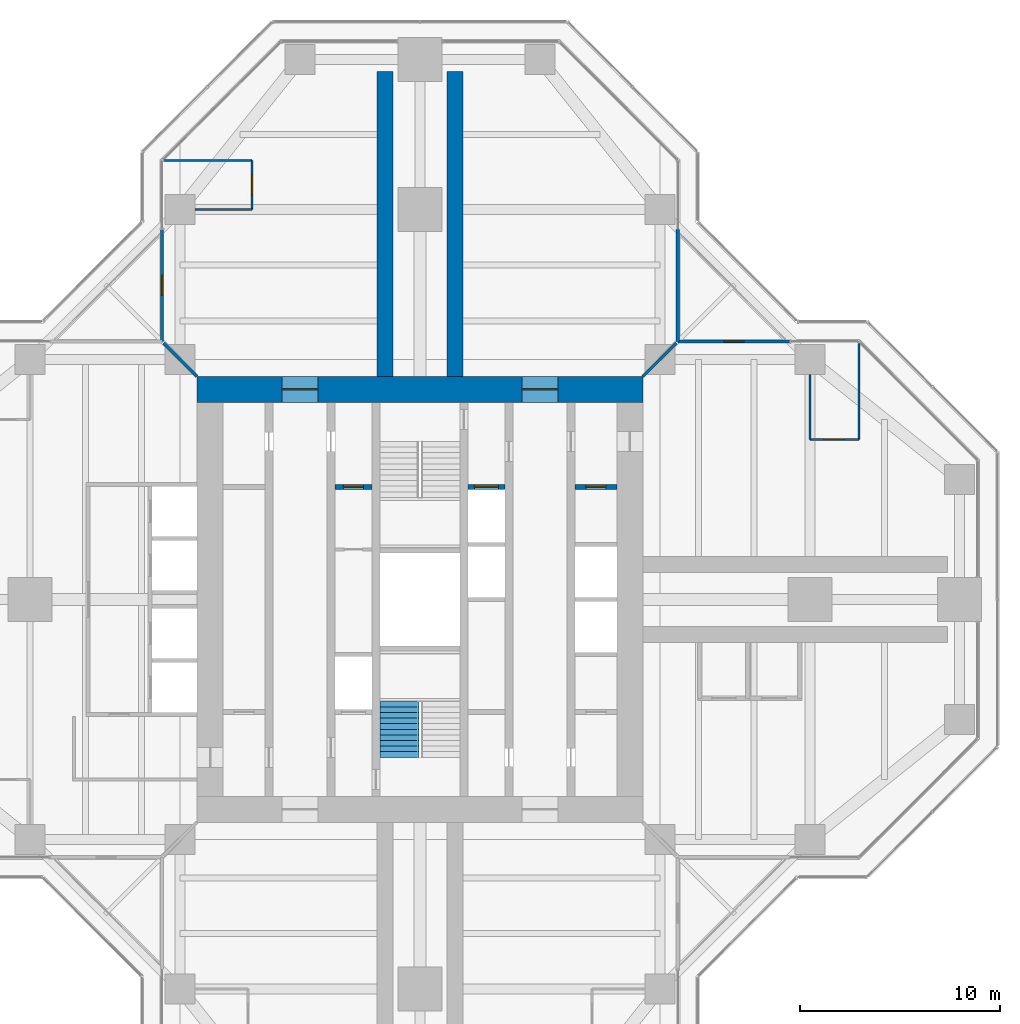
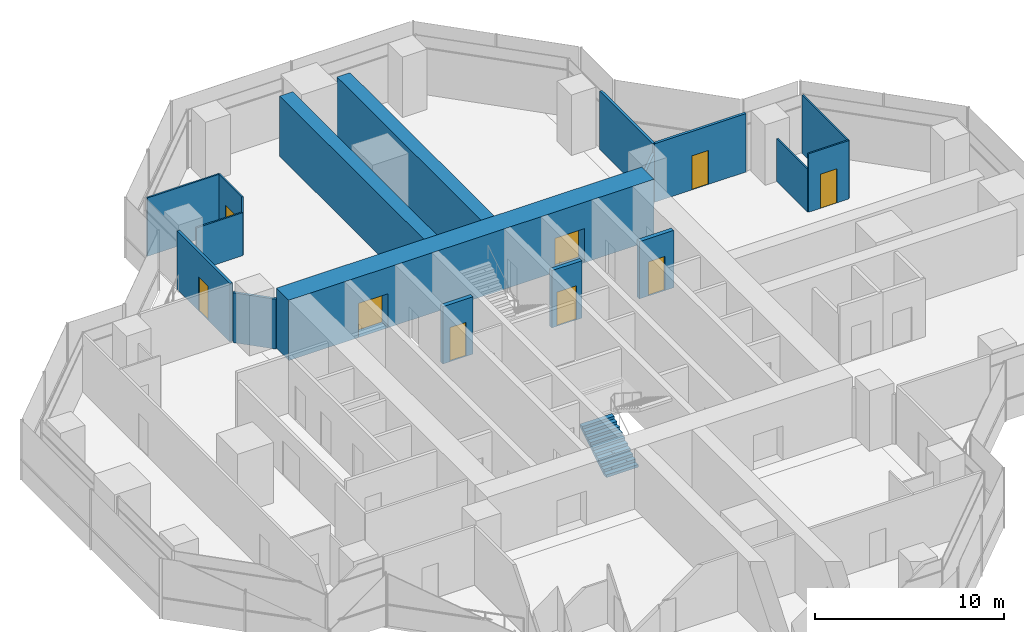
# One storey, part 15 of 17: 17 walls, 9 doors, 1 stair flight, 9 openings, 1 element without a shape of its own.
"""IFC4 building model written with IfcOpenShell, lengths in metres."""

from ifc_helpers import new_model, si_unit, direction, frame, frame_2d, origin, place, context, subcontext, project, spatial, polyline, rectangle, outline, extrude, material, layer, layer_set, type_object, element, fill, aggregate, save


model = new_model("IFC4")

# Units and contexts
model_context = context("Model", 3, precision=1e-05, world=origin(), true_north=direction((0.0, 1.0)))
body_context = subcontext(model_context, "Body", "Model", "MODEL_VIEW")
ifc_project = project(units=[si_unit("LENGTHUNIT", "METRE"), si_unit("AREAUNIT", "SQUARE_METRE"), si_unit("VOLUMEUNIT", "CUBIC_METRE"), si_unit("PLANEANGLEUNIT", "RADIAN"), si_unit("MASSUNIT", "GRAM", prefix="KILO")], contexts=[model_context])

# Site, building, storey
site_placement = place(None, origin())
site = spatial("IfcSite", under=ifc_project, at=site_placement, CompositionType="ELEMENT")
building_placement = place(site_placement, origin())
building = spatial("IfcBuilding", under=site, at=building_placement, Name="Mizan Broadcast Tower", CompositionType="ELEMENT")
storey_placement = place(building_placement, frame((0.0, 0.0, 240.0)))
storey = spatial("IfcBuildingStorey", under=building, at=storey_placement, Name="L56", CompositionType="ELEMENT", Elevation=240.0)

# Wall, openings, doors
ifc_material_1 = material(Name="Concrete C70/85", Category="concrete")
ifc_layer_1 = layer(ifc_material_1, 1.300048828125)
ifc_layer_set_1 = layer_set([ifc_layer_1], Name="Concrete C70/85")
wall_type_1 = type_object("IfcWallType", Name="CORE WALL 1300", PredefinedType="SHEAR", material=ifc_layer_set_1)
wall_1_placement = place(storey_placement, frame((-11.14990234375, 10.5, 0.0), z_axis=(0.0, 0.0, 1.0), x_axis=(1.0, 0.0, 0.0)))
wall_1 = element("IfcWall", 1, at=wall_1_placement, inside=storey, type_object=wall_type_1, Name="Core wall N L56", PredefinedType="SHEAR", context=body_context, shape_type="SweptSolid", body=[
    extrude(rectangle(XDim=22.2998046875, YDim=1.300048828125, at=frame_2d((11.14990234375, 0.0))), origin(), (0.0, 0.0, 1.0), 3.89990234375),
])
opening_1_placement = place(wall_1_placement, frame((4.25, 0.0, 0.0)))
opening_1 = element("IfcOpeningElement", 2, at=opening_1_placement, cuts=wall_1, Name="Opening D18F", PredefinedType="OPENING", context=body_context, shape_type="SweptSolid", body=[
    extrude(rectangle(XDim=1.800048828125, YDim=2.199951171875, at=frame_2d((0.89990234375, 1.10009765625))), frame((0.0, 0.659912109375, 0.0), z_axis=(0.0, -1.0, 0.0), x_axis=(1.0, 0.0, 0.0)), (0.0, 0.0, 1.0), 1.320068359375),
])
opening_2_placement = place(wall_1_placement, frame((16.25, 0.0, 0.0)))
opening_2 = element("IfcOpeningElement", 3, at=opening_2_placement, cuts=wall_1, Name="Opening D18F", PredefinedType="OPENING", context=body_context, shape_type="SweptSolid", body=[
    extrude(rectangle(XDim=1.800048828125, YDim=2.199951171875, at=frame_2d((0.89990234375, 1.10009765625))), frame((0.0, 0.659912109375, 0.0), z_axis=(0.0, -1.0, 0.0), x_axis=(1.0, 0.0, 0.0)), (0.0, 0.0, 1.0), 1.320068359375),
])
ifc_material_2 = material(Name="Steel door leaf in steel frame", Category="steel")
door_type_1 = type_object("IfcDoorType", Name="LOBBY DOUBLE DOOR 1800 FD90", OperationType="DOUBLE_DOOR_DOUBLE_SWING", PredefinedType="DOOR", material=ifc_material_2)
door_1_placement = place(opening_1_placement, origin())
door_1 = element("IfcDoor", 4, at=door_1_placement, inside=storey, type_object=door_type_1, Name="West lift lobby north door", OperationType="DOUBLE_DOOR_DOUBLE_SWING", OverallHeight=2.199951171875, OverallWidth=1.800048828125, PredefinedType="DOOR", context=body_context, shape_type="SweptSolid", body=[
    extrude(rectangle(XDim=1.800048828125, YDim=2.199951171875, at=frame_2d((0.89990234375, 1.10009765625))), frame((0.0, 0.02490234375, 0.0), z_axis=(0.0, -1.0, 0.0), x_axis=(1.0, 0.0, 0.0)), (0.0, 0.0, 1.0), 0.050048828125),
])
fill(opening_1, door_1)
door_2_placement = place(opening_2_placement, origin())
door_2 = element("IfcDoor", 5, at=door_2_placement, inside=storey, type_object=door_type_1, Name="East lift lobby north door", OperationType="DOUBLE_DOOR_DOUBLE_SWING", OverallHeight=2.199951171875, OverallWidth=1.800048828125, PredefinedType="DOOR", context=body_context, shape_type="SweptSolid", body=[
    extrude(rectangle(XDim=1.800048828125, YDim=2.199951171875, at=frame_2d((0.89990234375, 1.10009765625))), frame((0.0, 0.02490234375, 0.0), z_axis=(0.0, -1.0, 0.0), x_axis=(1.0, 0.0, 0.0)), (0.0, 0.0, 1.0), 0.050048828125),
])
fill(opening_2, door_2)

# Wall, opening, door
ifc_material_3 = material(Name="Aluminium framed glazed screen", Category="aluminium")
ifc_layer_2 = layer(ifc_material_3, 0.159912109375)
ifc_layer_set_2 = layer_set([ifc_layer_2], Name="Aluminium framed glazed screen")
wall_type_2 = type_object("IfcWallType", Name="GLAZED SCREEN WALL 160", PredefinedType="SOLIDWALL", material=ifc_layer_set_2)
wall_2_placement = place(storey_placement, frame((18.5, 12.89990234375, 0.0), z_axis=(0.0, 0.0, 1.0), x_axis=(-1.0, 0.0, 0.0)))
wall_2 = element("IfcWall", 6, at=wall_2_placement, inside=storey, type_object=wall_type_2, Name="Winter garden screen L56 E", PredefinedType="SOLIDWALL", context=body_context, shape_type="SweptSolid", body=[
    extrude(rectangle(XDim=5.60009765625, YDim=0.159912109375, at=frame_2d((2.800048828125, 0.0))), origin(), (0.0, 0.0, 1.0), 3.77001953125),
])
opening_3_placement = place(wall_2_placement, frame((2.300048828125, 0.0, 0.0)))
opening_3 = element("IfcOpeningElement", 7, at=opening_3_placement, cuts=wall_2, Name="Opening WGD", PredefinedType="OPENING", context=body_context, shape_type="SweptSolid", body=[
    extrude(rectangle(XDim=1.0, YDim=2.199951171875, at=frame_2d((0.5, 1.10009765625))), frame((0.0, 0.08984375, 0.0), z_axis=(0.0, -1.0, 0.0), x_axis=(1.0, 0.0, 0.0)), (0.0, 0.0, 1.0), 0.179931640625),
])
ifc_material_4 = material(Name="Aluminium framed glazed door", Category="aluminium")
door_type_2 = type_object("IfcDoorType", Name="WINTER GARDEN DOOR 1000 GLAZED", OperationType="SINGLE_SWING_LEFT", PredefinedType="DOOR", material=ifc_material_4)
door_3_placement = place(opening_3_placement, origin())
door_3 = element("IfcDoor", 8, at=door_3_placement, inside=storey, type_object=door_type_2, Name="Winter garden door L56 E", OperationType="SINGLE_SWING_RIGHT", OverallHeight=2.199951171875, OverallWidth=1.0, PredefinedType="DOOR", context=body_context, shape_type="SweptSolid", body=[
    extrude(rectangle(XDim=1.0, YDim=2.199951171875, at=frame_2d((0.5, 1.10009765625))), frame((0.0, 0.02490234375, 0.0), z_axis=(0.0, -1.0, 0.0), x_axis=(1.0, 0.0, 0.0)), (0.0, 0.0, 1.0), 0.050048828125),
])
fill(opening_3, door_3)

# Wall
wall_3_placement = place(storey_placement, frame((12.89990234375, 12.89990234375, 0.0), z_axis=(0.0, 0.0, 1.0), x_axis=(0.0, 1.0, 0.0)))
element("IfcWall", 9, at=wall_3_placement, inside=storey, type_object=wall_type_2, Name="Winter garden screen L56 N", PredefinedType="SOLIDWALL", context=body_context, shape_type="SweptSolid", body=[
    extrude(rectangle(XDim=5.60009765625, YDim=0.159912109375, at=frame_2d((2.800048828125, 0.0))), origin(), (0.0, 0.0, 1.0), 3.77001953125),
])

# Wall, opening, door
wall_4_placement = place(storey_placement, frame((-12.89990234375, 18.5, 0.0), z_axis=(0.0, 0.0, 1.0), x_axis=(0.0, -1.0, 0.0)))
wall_4 = element("IfcWall", 10, at=wall_4_placement, inside=storey, type_object=wall_type_2, Name="Winter garden screen L56 N", PredefinedType="SOLIDWALL", context=body_context, shape_type="SweptSolid", body=[
    extrude(rectangle(XDim=5.60009765625, YDim=0.159912109375, at=frame_2d((2.800048828125, 0.0))), origin(), (0.0, 0.0, 1.0), 3.77001953125),
])
opening_4_placement = place(wall_4_placement, frame((2.300048828125, 0.0, 0.0)))
opening_4 = element("IfcOpeningElement", 11, at=opening_4_placement, cuts=wall_4, Name="Opening WGD", PredefinedType="OPENING", context=body_context, shape_type="SweptSolid", body=[
    extrude(rectangle(XDim=1.0, YDim=2.199951171875, at=frame_2d((0.5, 1.10009765625))), frame((0.0, 0.08984375, 0.0), z_axis=(0.0, -1.0, 0.0), x_axis=(1.0, 0.0, 0.0)), (0.0, 0.0, 1.0), 0.179931640625),
])
door_4_placement = place(opening_4_placement, origin())
door_4 = element("IfcDoor", 12, at=door_4_placement, inside=storey, type_object=door_type_2, Name="Winter garden door L56 N", OperationType="SINGLE_SWING_RIGHT", OverallHeight=2.199951171875, OverallWidth=1.0, PredefinedType="DOOR", context=body_context, shape_type="SweptSolid", body=[
    extrude(rectangle(XDim=1.0, YDim=2.199951171875, at=frame_2d((0.5, 1.10009765625))), frame((0.0, 0.02490234375, 0.0), z_axis=(0.0, -1.0, 0.0), x_axis=(1.0, 0.0, 0.0)), (0.0, 0.0, 1.0), 0.050048828125),
])
fill(opening_4, door_4)

ifc_material_5 = material(Name="Concrete blockwork", Category="masonry")
ifc_layer_3 = layer(ifc_material_5, 0.25)
ifc_layer_set_3 = layer_set([ifc_layer_3], Name="Concrete blockwork")
wall_type_3 = type_object("IfcWallType", Name="LOBBY ENCLOSURE WALL 250", PredefinedType="SOLIDWALL", material=ifc_layer_set_3)
wall_5_placement = place(storey_placement, frame((-4.25, 5.625, 0.0), z_axis=(0.0, 0.0, 1.0), x_axis=(1.0, 0.0, 0.0)))
wall_5 = element("IfcWall", 13, at=wall_5_placement, inside=storey, type_object=wall_type_3, Name="Lobby enclosure wall CORE/BW2N", PredefinedType="SOLIDWALL", context=body_context, shape_type="SweptSolid", body=[
    extrude(rectangle(XDim=1.85009765625, YDim=0.25, at=frame_2d((0.925048828125, 0.0))), origin(), (0.0, 0.0, 1.0), 3.699951171875),
])
opening_5_placement = place(wall_5_placement, frame((0.425048828125, 0.0, 0.0)))
opening_5 = element("IfcOpeningElement", 14, at=opening_5_placement, cuts=wall_5, Name="Opening D10F", PredefinedType="OPENING", context=body_context, shape_type="SweptSolid", body=[
    extrude(rectangle(XDim=1.0, YDim=2.199951171875, at=frame_2d((0.5, 1.10009765625))), frame((0.0, 0.135009765625, 0.0), z_axis=(0.0, -1.0, 0.0), x_axis=(1.0, 0.0, 0.0)), (0.0, 0.0, 1.0), 0.27001953125),
])
ifc_material_6 = material(Name="Steel door leaf in steel frame", Category="steel")
door_type_3 = type_object("IfcDoorType", Name="FIRE DOOR 1000 FD90", OperationType="SINGLE_SWING_LEFT", PredefinedType="DOOR", material=ifc_material_6)
door_5_placement = place(opening_5_placement, origin())
door_5 = element("IfcDoor", 15, at=door_5_placement, inside=storey, type_object=door_type_3, Name="Accessible changing room door", OperationType="SINGLE_SWING_RIGHT", OverallHeight=2.199951171875, OverallWidth=1.0, PredefinedType="DOOR", context=body_context, shape_type="SweptSolid", body=[
    extrude(rectangle(XDim=1.0, YDim=2.199951171875, at=frame_2d((0.5, 1.10009765625))), frame((0.0, 0.02490234375, 0.0), z_axis=(0.0, -1.0, 0.0), x_axis=(1.0, 0.0, 0.0)), (0.0, 0.0, 1.0), 0.050048828125),
])
fill(opening_5, door_5)

wall_6_placement = place(storey_placement, frame((2.39990234375, 5.625, 0.0), z_axis=(0.0, 0.0, 1.0), x_axis=(1.0, 0.0, 0.0)))
wall_6 = element("IfcWall", 16, at=wall_6_placement, inside=storey, type_object=wall_type_3, Name="Lobby enclosure wall CORE/BE2N", PredefinedType="SOLIDWALL", context=body_context, shape_type="SweptSolid", body=[
    extrude(rectangle(XDim=1.85009765625, YDim=0.25, at=frame_2d((0.925048828125, 0.0))), origin(), (0.0, 0.0, 1.0), 3.699951171875),
])
opening_6_placement = place(wall_6_placement, frame((0.324951171875, 0.0, 0.0)))
opening_6 = element("IfcOpeningElement", 17, at=opening_6_placement, cuts=wall_6, Name="Opening LDF", PredefinedType="OPENING", context=body_context, shape_type="SweptSolid", body=[
    extrude(rectangle(XDim=1.199951171875, YDim=2.199951171875, at=frame_2d((0.60009765625, 1.10009765625))), frame((0.0, 0.135009765625, 0.0), z_axis=(0.0, -1.0, 0.0), x_axis=(1.0, 0.0, 0.0)), (0.0, 0.0, 1.0), 0.27001953125),
])
ifc_material_7 = material(Name="Steel door leaf in steel frame", Category="steel")
door_type_4 = type_object("IfcDoorType", Name="FIREFIGHTING LIFT LANDING DOOR 1200", OperationType="SLIDING_TO_LEFT", PredefinedType="DOOR", material=ifc_material_7)
door_6_placement = place(opening_6_placement, origin())
door_6 = element("IfcDoor", 18, at=door_6_placement, inside=storey, type_object=door_type_4, Name="Landing door FF2", OperationType="SLIDING_TO_LEFT", OverallHeight=2.199951171875, OverallWidth=1.199951171875, PredefinedType="DOOR", context=body_context, shape_type="SweptSolid", body=[
    extrude(rectangle(XDim=1.199951171875, YDim=2.199951171875, at=frame_2d((0.60009765625, 1.10009765625))), frame((0.0, 0.02490234375, 0.0), z_axis=(0.0, -1.0, 0.0), x_axis=(1.0, 0.0, 0.0)), (0.0, 0.0, 1.0), 0.050048828125),
])
fill(opening_6, door_6)

wall_7_placement = place(storey_placement, frame((7.75, 5.625, 0.0), z_axis=(0.0, 0.0, 1.0), x_axis=(1.0, 0.0, 0.0)))
wall_7 = element("IfcWall", 19, at=wall_7_placement, inside=storey, type_object=wall_type_3, Name="Lobby enclosure wall CORE/BE1N", PredefinedType="SOLIDWALL", context=body_context, shape_type="SweptSolid", body=[
    extrude(rectangle(XDim=2.10009765625, YDim=0.25, at=frame_2d((1.050048828125, 0.0))), origin(), (0.0, 0.0, 1.0), 3.699951171875),
])
opening_7_placement = place(wall_7_placement, frame((0.550048828125, 0.0, 0.0)))
opening_7 = element("IfcOpeningElement", 20, at=opening_7_placement, cuts=wall_7, Name="Opening D10F", PredefinedType="OPENING", context=body_context, shape_type="SweptSolid", body=[
    extrude(rectangle(XDim=1.0, YDim=2.199951171875, at=frame_2d((0.5, 1.10009765625))), frame((0.0, 0.135009765625, 0.0), z_axis=(0.0, -1.0, 0.0), x_axis=(1.0, 0.0, 0.0)), (0.0, 0.0, 1.0), 0.27001953125),
])
door_7_placement = place(opening_7_placement, origin())
door_7 = element("IfcDoor", 21, at=door_7_placement, inside=storey, type_object=door_type_3, Name="Comms room door", OperationType="SINGLE_SWING_LEFT", OverallHeight=2.199951171875, OverallWidth=1.0, PredefinedType="DOOR", context=body_context, shape_type="SweptSolid", body=[
    extrude(rectangle(XDim=1.0, YDim=2.199951171875, at=frame_2d((0.5, 1.10009765625))), frame((0.0, 0.02490234375, 0.0), z_axis=(0.0, -1.0, 0.0), x_axis=(1.0, 0.0, 0.0)), (0.0, 0.0, 1.0), 0.050048828125),
])
fill(opening_7, door_7)

# Walls
ifc_material_8 = material(Name="Gypsum board on steel studs", Category="steel")
ifc_layer_4 = layer(ifc_material_8, 0.14990234375)
ifc_layer_set_4 = layer_set([ifc_layer_4], Name="Gypsum board on steel studs")
wall_type_4 = type_object("IfcWallType", Name="PARTITION 150", PredefinedType="PARTITIONING", material=ifc_layer_set_4)
for number, where, z_axis, x_axis, name in (
    (22, (11.14990234375, 11.14990234375, 0.0), (0.0, 0.0, 1.0), (0.707106781187, 0.707106781187, 0.0), "Partition PT/DGEN"),
    (23, (-11.14990234375, 11.14990234375, 0.0), (0.0, 0.0, 1.0), (-0.707106781187, 0.707106781187, 0.0), "Partition PT/DGWN"),
):
    element("IfcWall", number, at=place(storey_placement, frame(where, z_axis=z_axis, x_axis=x_axis)), inside=storey, type_object=wall_type_4, Name=name, PredefinedType="PARTITIONING", context=body_context, shape_type="SweptSolid", body=[
        extrude(rectangle(XDim=2.362060546875, YDim=0.14990234375, at=frame_2d((1.18115234375, 0.0))), origin(), (0.0, 0.0, 1.0), 3.219970703125),
    ])

# Wall, opening, door
ifc_material_9 = material(Name="Glazed aluminium partition on aluminium track", Category="aluminium")
ifc_layer_5 = layer(ifc_material_9, 0.10009765625)
ifc_layer_set_5 = layer_set([ifc_layer_5], Name="Glazed aluminium partition on aluminium track")
wall_type_5 = type_object("IfcWallType", Name="PARTITION GLAZED OFFICE FRONT 100", PredefinedType="PARTITIONING", material=ifc_layer_set_5)
wall_8_placement = place(storey_placement, frame((19.5, 8.0, 0.0), z_axis=(0.0, 0.0, 1.0), x_axis=(1.0, 0.0, 0.0)))
wall_8 = element("IfcWall", 24, at=wall_8_placement, inside=storey, type_object=wall_type_5, Name="Glazed office front PT/ECP0", PredefinedType="PARTITIONING", context=body_context, shape_type="SweptSolid", body=[
    extrude(rectangle(XDim=2.458984375, YDim=0.10009765625, at=frame_2d((1.2294921875, 0.0))), origin(), (0.0, 0.0, 1.0), 3.77001953125),
])
opening_8_placement = place(wall_8_placement, frame((0.7294921875, 0.0, 0.0)))
opening_8 = element("IfcOpeningElement", 25, at=opening_8_placement, cuts=wall_8, Name="Opening D10O", PredefinedType="OPENING", context=body_context, shape_type="SweptSolid", body=[
    extrude(rectangle(XDim=1.0, YDim=2.199951171875, at=frame_2d((0.5, 1.10009765625))), frame((0.0, 0.06005859375, 0.0), z_axis=(0.0, -1.0, 0.0), x_axis=(1.0, 0.0, 0.0)), (0.0, 0.0, 1.0), 0.1201171875),
])
ifc_material_10 = material(Name="Timber door leaf in aluminium frame", Category="wood")
door_type_5 = type_object("IfcDoorType", Name="OFFICE DOOR 1000 GLAZED", OperationType="SINGLE_SWING_LEFT", PredefinedType="DOOR", material=ifc_material_10)
door_8_placement = place(opening_8_placement, origin())
door_8 = element("IfcDoor", 26, at=door_8_placement, inside=storey, type_object=door_type_5, Name="Correspondent's office door", OperationType="SINGLE_SWING_LEFT", OverallHeight=2.199951171875, OverallWidth=1.0, PredefinedType="DOOR", context=body_context, shape_type="SweptSolid", body=[
    extrude(rectangle(XDim=1.0, YDim=2.199951171875, at=frame_2d((0.5, 1.10009765625))), frame((0.0, 0.02490234375, 0.0), z_axis=(0.0, -1.0, 0.0), x_axis=(1.0, 0.0, 0.0)), (0.0, 0.0, 1.0), 0.050048828125),
])
fill(opening_8, door_8)

# Walls
wall_9_placement = place(storey_placement, frame((19.5, 8.0, 0.0), z_axis=(0.0, 0.0, 1.0), x_axis=(0.0, 1.0, 0.0)))
element("IfcWall", 27, at=wall_9_placement, inside=storey, type_object=wall_type_5, Name="Glazed office front PT/EQP1950", PredefinedType="PARTITIONING", context=body_context, shape_type="SweptSolid", body=[
    extrude(rectangle(XDim=3.25, YDim=0.10009765625, at=frame_2d((1.625, 0.0))), origin(), (0.0, 0.0, 1.0), 2.77001953125),
])
wall_10_placement = place(storey_placement, frame((21.958984375, 8.0, 0.0), z_axis=(0.0, 0.0, 1.0), x_axis=(0.0, 1.0, 0.0)))
element("IfcWall", 28, at=wall_10_placement, inside=storey, type_object=wall_type_5, Name="Glazed office front PT/EQP2196", PredefinedType="PARTITIONING", context=body_context, shape_type="SweptSolid", body=[
    extrude(rectangle(XDim=4.820068359375, YDim=0.10009765625, at=frame_2d((2.41015625, 0.0))), origin(), (0.0, 0.0, 1.0), 3.77001953125),
])

# Wall, opening, door
wall_11_placement = place(storey_placement, frame((-8.39990234375, 19.5, 0.0), z_axis=(0.0, 0.0, 1.0), x_axis=(0.0, 1.0, 0.0)))
wall_11 = element("IfcWall", 29, at=wall_11_placement, inside=storey, type_object=wall_type_5, Name="Glazed office front PT/NCP0", PredefinedType="PARTITIONING", context=body_context, shape_type="SweptSolid", body=[
    extrude(rectangle(XDim=2.458984375, YDim=0.10009765625, at=frame_2d((1.2294921875, 0.0))), origin(), (0.0, 0.0, 1.0), 3.77001953125),
])
opening_9_placement = place(wall_11_placement, frame((0.7294921875, 0.0, 0.0)))
opening_9 = element("IfcOpeningElement", 30, at=opening_9_placement, cuts=wall_11, Name="Opening D10O", PredefinedType="OPENING", context=body_context, shape_type="SweptSolid", body=[
    extrude(rectangle(XDim=1.0, YDim=2.199951171875, at=frame_2d((0.5, 1.10009765625))), frame((0.0, 0.06005859375, 0.0), z_axis=(0.0, -1.0, 0.0), x_axis=(1.0, 0.0, 0.0)), (0.0, 0.0, 1.0), 0.1201171875),
])
door_9_placement = place(opening_9_placement, origin())
door_9 = element("IfcDoor", 31, at=door_9_placement, inside=storey, type_object=door_type_5, Name="Bureau chief's office door", OperationType="SINGLE_SWING_LEFT", OverallHeight=2.199951171875, OverallWidth=1.0, PredefinedType="DOOR", context=body_context, shape_type="SweptSolid", body=[
    extrude(rectangle(XDim=1.0, YDim=2.199951171875, at=frame_2d((0.5, 1.10009765625))), frame((0.0, 0.02490234375, 0.0), z_axis=(0.0, -1.0, 0.0), x_axis=(1.0, 0.0, 0.0)), (0.0, 0.0, 1.0), 0.050048828125),
])
fill(opening_9, door_9)

# Walls
wall_12_placement = place(storey_placement, frame((-8.39990234375, 19.5, 0.0), z_axis=(0.0, 0.0, 1.0), x_axis=(-1.0, 0.0, 0.0)))
element("IfcWall", 32, at=wall_12_placement, inside=storey, type_object=wall_type_5, Name="Glazed office front PT/NQP1950", PredefinedType="PARTITIONING", context=body_context, shape_type="SweptSolid", body=[
    extrude(rectangle(XDim=2.85009765625, YDim=0.10009765625, at=frame_2d((1.425048828125, 0.0))), origin(), (0.0, 0.0, 1.0), 2.77001953125),
])
wall_13_placement = place(storey_placement, frame((-8.39990234375, 21.958984375, 0.0), z_axis=(0.0, 0.0, 1.0), x_axis=(-1.0, 0.0, 0.0)))
element("IfcWall", 33, at=wall_13_placement, inside=storey, type_object=wall_type_5, Name="Glazed office front PT/NQP2196", PredefinedType="PARTITIONING", context=body_context, shape_type="SweptSolid", body=[
    extrude(rectangle(XDim=4.420166015625, YDim=0.10009765625, at=frame_2d((2.2099609375, 0.0))), origin(), (0.0, 0.0, 1.0), 3.77001953125),
])
ifc_material_11 = material(Name="Concrete C70/85", Category="concrete")
ifc_layer_6 = layer(ifc_material_11, 0.800048828125)
ifc_layer_set_6 = layer_set([ifc_layer_6], Name="Concrete C70/85")
wall_type_6 = type_object("IfcWallType", Name="SPINE WALL 800", PredefinedType="SHEAR", material=ifc_layer_set_6)
for number, where, z_axis, x_axis, name in (
    (34, (1.75, 11.14990234375, 0.0), (0.0, 0.0, 1.0), (0.0, 1.0, 0.0), "Spine wall NR L56"),
    (35, (-1.75, 11.14990234375, 0.0), (0.0, 0.0, 1.0), (0.0, 1.0, 0.0), "Spine wall NL L56"),
):
    element("IfcWall", number, at=place(storey_placement, frame(where, z_axis=z_axis, x_axis=x_axis)), inside=storey, type_object=wall_type_6, Name=name, PredefinedType="SHEAR", context=body_context, shape_type="SweptSolid", body=[
        extrude(rectangle(XDim=15.25, YDim=0.800048828125, at=frame_2d((7.625, 0.0))), origin(), (0.0, 0.0, 1.0), 3.89990234375),
    ])

# Stair, stair flight
ifc_material_12 = material(Name="Concrete C40/50", Category="concrete")
stair_type = type_object("IfcStairType", Name="EXIT STAIR", PredefinedType="HALF_TURN_STAIR", material=ifc_material_12)
stair_placement = place(storey_placement, origin())
stair = element("IfcStair", 36, at=stair_placement, inside=storey, type_object=stair_type, Name="Stair A L56", PredefinedType="HALF_TURN_STAIR")
ifc_material_13 = material(Name="Concrete C40/50", Category="concrete")
stair_flight_type = type_object("IfcStairFlightType", Name="EXIT STAIR FLIGHT", PredefinedType="STRAIGHT", material=ifc_material_13)
stair_flight_placement = place(storey_placement, frame((-1.02490234375, -7.89990234375, 0.0), z_axis=(0.0, 0.0, 1.0), x_axis=(0.0, 1.0, 0.0)))
stair_flight = element("IfcStairFlight", 37, at=stair_flight_placement, type_object=stair_flight_type, Name="A flight 1", NumberOfRisers=11, NumberOfTreads=10, PredefinedType="STRAIGHT", RiserHeight=0.177272727, TreadLength=0.28, context=body_context, shape_type="SweptSolid", body=[
    extrude(outline(polyline([(0.0, 0.0), (0.0, 0.17724609375), (0.280029296875, 0.17724609375), (0.280029296875, 0.3544921875), (0.56005859375, 0.3544921875), (0.56005859375, 0.53173828125), (0.840087890625, 0.53173828125), (0.840087890625, 0.708984375), (1.1201171875, 0.708984375), (1.1201171875, 0.886474609375), (1.39990234375, 0.886474609375), (1.39990234375, 1.063720703125), (1.679931640625, 1.063720703125), (1.679931640625, 1.240966796875), (1.9599609375, 1.240966796875), (1.9599609375, 1.418212890625), (2.239990234375, 1.418212890625), (2.239990234375, 1.595458984375), (2.52001953125, 1.595458984375), (2.52001953125, 1.772705078125), (2.800048828125, 1.772705078125), (2.800048828125, 1.949951171875), (2.800048828125, 1.59521484375), (0.2802734375, 0.0), (0.0, 0.0)])), frame((0.0, 0.97509765625, 0.0), z_axis=(0.0, -1.0, 0.0), x_axis=(1.0, 0.0, 0.0)), (0.0, 0.0, 1.0), 0.4873046875),
    extrude(outline(polyline([(0.0, 0.0), (0.0, 0.17724609375), (0.280029296875, 0.17724609375), (0.280029296875, 0.3544921875), (0.56005859375, 0.3544921875), (0.56005859375, 0.53173828125), (0.840087890625, 0.53173828125), (0.840087890625, 0.708984375), (1.1201171875, 0.708984375), (1.1201171875, 0.886474609375), (1.39990234375, 0.886474609375), (1.39990234375, 1.063720703125), (1.679931640625, 1.063720703125), (1.679931640625, 1.240966796875), (1.9599609375, 1.240966796875), (1.9599609375, 1.418212890625), (2.239990234375, 1.418212890625), (2.239990234375, 1.595458984375), (2.52001953125, 1.595458984375), (2.52001953125, 1.772705078125), (2.800048828125, 1.772705078125), (2.800048828125, 1.949951171875), (2.800048828125, 1.59521484375), (0.2802734375, 0.0), (0.0, 0.0)])), frame((0.0, 0.4873046875, 0.0), z_axis=(0.0, -1.0, 0.0), x_axis=(1.0, 0.0, 0.0)), (0.0, 0.0, 1.0), 0.2431640625),
    extrude(outline(polyline([(0.0, 0.0), (0.0, 0.17724609375), (0.280029296875, 0.17724609375), (0.280029296875, 0.3544921875), (0.56005859375, 0.3544921875), (0.56005859375, 0.53173828125), (0.840087890625, 0.53173828125), (0.840087890625, 0.708984375), (1.1201171875, 0.708984375), (1.1201171875, 0.886474609375), (1.39990234375, 0.886474609375), (1.39990234375, 1.063720703125), (1.679931640625, 1.063720703125), (1.679931640625, 1.240966796875), (1.9599609375, 1.240966796875), (1.9599609375, 1.418212890625), (2.239990234375, 1.418212890625), (2.239990234375, 1.595458984375), (2.52001953125, 1.595458984375), (2.52001953125, 1.772705078125), (2.800048828125, 1.772705078125), (2.800048828125, 1.949951171875), (2.800048828125, 1.59521484375), (0.2802734375, 0.0), (0.0, 0.0)])), frame((0.0, 0.24365234375, 0.0), z_axis=(0.0, -1.0, 0.0), x_axis=(1.0, 0.0, 0.0)), (0.0, 0.0, 1.0), 0.121337890625),
    extrude(outline(polyline([(0.0, 0.0), (0.0, 0.17724609375), (0.280029296875, 0.17724609375), (0.280029296875, 0.3544921875), (0.56005859375, 0.3544921875), (0.56005859375, 0.53173828125), (0.840087890625, 0.53173828125), (0.840087890625, 0.708984375), (1.1201171875, 0.708984375), (1.1201171875, 0.886474609375), (1.39990234375, 0.886474609375), (1.39990234375, 1.063720703125), (1.679931640625, 1.063720703125), (1.679931640625, 1.240966796875), (1.9599609375, 1.240966796875), (1.9599609375, 1.418212890625), (2.239990234375, 1.418212890625), (2.239990234375, 1.595458984375), (2.52001953125, 1.595458984375), (2.52001953125, 1.772705078125), (2.800048828125, 1.772705078125), (2.800048828125, 1.949951171875), (2.800048828125, 1.59521484375), (0.2802734375, 0.0), (0.0, 0.0)])), frame((0.0, 0.121826171875, 0.0), z_axis=(0.0, -1.0, 0.0), x_axis=(1.0, 0.0, 0.0)), (0.0, 0.0, 1.0), 0.060546875),
    extrude(outline(polyline([(0.0, 0.0), (0.0, 0.17724609375), (0.280029296875, 0.17724609375), (0.280029296875, 0.3544921875), (0.56005859375, 0.3544921875), (0.56005859375, 0.53173828125), (0.840087890625, 0.53173828125), (0.840087890625, 0.708984375), (1.1201171875, 0.708984375), (1.1201171875, 0.886474609375), (1.39990234375, 0.886474609375), (1.39990234375, 1.063720703125), (1.679931640625, 1.063720703125), (1.679931640625, 1.240966796875), (1.9599609375, 1.240966796875), (1.9599609375, 1.418212890625), (2.239990234375, 1.418212890625), (2.239990234375, 1.595458984375), (2.52001953125, 1.595458984375), (2.52001953125, 1.772705078125), (2.800048828125, 1.772705078125), (2.800048828125, 1.949951171875), (2.800048828125, 1.59521484375), (0.2802734375, 0.0), (0.0, 0.0)])), frame((0.0, 0.060791015625, 0.0), z_axis=(0.0, -1.0, 0.0), x_axis=(1.0, 0.0, 0.0)), (0.0, 0.0, 1.0), 0.030029296875),
    extrude(outline(polyline([(0.0, 0.0), (0.0, 0.17724609375), (0.280029296875, 0.17724609375), (0.280029296875, 0.3544921875), (0.56005859375, 0.3544921875), (0.56005859375, 0.53173828125), (0.840087890625, 0.53173828125), (0.840087890625, 0.708984375), (1.1201171875, 0.708984375), (1.1201171875, 0.886474609375), (1.39990234375, 0.886474609375), (1.39990234375, 1.063720703125), (1.679931640625, 1.063720703125), (1.679931640625, 1.240966796875), (1.9599609375, 1.240966796875), (1.9599609375, 1.418212890625), (2.239990234375, 1.418212890625), (2.239990234375, 1.595458984375), (2.52001953125, 1.595458984375), (2.52001953125, 1.772705078125), (2.800048828125, 1.772705078125), (2.800048828125, 1.949951171875), (2.800048828125, 1.59521484375), (0.2802734375, 0.0), (0.0, 0.0)])), frame((0.0, 0.0302734375, 0.0), z_axis=(0.0, -1.0, 0.0), x_axis=(1.0, 0.0, 0.0)), (0.0, 0.0, 1.0), 0.060302734375),
    extrude(outline(polyline([(0.0, 0.0), (0.0, 0.17724609375), (0.280029296875, 0.17724609375), (0.280029296875, 0.3544921875), (0.56005859375, 0.3544921875), (0.56005859375, 0.53173828125), (0.840087890625, 0.53173828125), (0.840087890625, 0.708984375), (1.1201171875, 0.708984375), (1.1201171875, 0.886474609375), (1.39990234375, 0.886474609375), (1.39990234375, 1.063720703125), (1.679931640625, 1.063720703125), (1.679931640625, 1.240966796875), (1.9599609375, 1.240966796875), (1.9599609375, 1.418212890625), (2.239990234375, 1.418212890625), (2.239990234375, 1.595458984375), (2.52001953125, 1.595458984375), (2.52001953125, 1.772705078125), (2.800048828125, 1.772705078125), (2.800048828125, 1.949951171875), (2.800048828125, 1.59521484375), (0.2802734375, 0.0), (0.0, 0.0)])), frame((0.0, -0.030517578125, 0.0), z_axis=(0.0, -1.0, 0.0), x_axis=(1.0, 0.0, 0.0)), (0.0, 0.0, 1.0), 0.030029296875),
    extrude(outline(polyline([(0.0, 0.0), (0.0, 0.17724609375), (0.280029296875, 0.17724609375), (0.280029296875, 0.3544921875), (0.56005859375, 0.3544921875), (0.56005859375, 0.53173828125), (0.840087890625, 0.53173828125), (0.840087890625, 0.708984375), (1.1201171875, 0.708984375), (1.1201171875, 0.886474609375), (1.39990234375, 0.886474609375), (1.39990234375, 1.063720703125), (1.679931640625, 1.063720703125), (1.679931640625, 1.240966796875), (1.9599609375, 1.240966796875), (1.9599609375, 1.418212890625), (2.239990234375, 1.418212890625), (2.239990234375, 1.595458984375), (2.52001953125, 1.595458984375), (2.52001953125, 1.772705078125), (2.800048828125, 1.772705078125), (2.800048828125, 1.949951171875), (2.800048828125, 1.59521484375), (0.2802734375, 0.0), (0.0, 0.0)])), frame((0.0, -0.06103515625, 0.0), z_axis=(0.0, -1.0, 0.0), x_axis=(1.0, 0.0, 0.0)), (0.0, 0.0, 1.0), 0.060546875),
    extrude(outline(polyline([(0.0, 0.0), (0.0, 0.17724609375), (0.280029296875, 0.17724609375), (0.280029296875, 0.3544921875), (0.56005859375, 0.3544921875), (0.56005859375, 0.53173828125), (0.840087890625, 0.53173828125), (0.840087890625, 0.708984375), (1.1201171875, 0.708984375), (1.1201171875, 0.886474609375), (1.39990234375, 0.886474609375), (1.39990234375, 1.063720703125), (1.679931640625, 1.063720703125), (1.679931640625, 1.240966796875), (1.9599609375, 1.240966796875), (1.9599609375, 1.418212890625), (2.239990234375, 1.418212890625), (2.239990234375, 1.595458984375), (2.52001953125, 1.595458984375), (2.52001953125, 1.772705078125), (2.800048828125, 1.772705078125), (2.800048828125, 1.949951171875), (2.800048828125, 1.59521484375), (0.2802734375, 0.0), (0.0, 0.0)])), frame((0.0, -0.1220703125, 0.0), z_axis=(0.0, -1.0, 0.0), x_axis=(1.0, 0.0, 0.0)), (0.0, 0.0, 1.0), 0.121337890625),
    extrude(outline(polyline([(0.0, 0.0), (0.0, 0.17724609375), (0.280029296875, 0.17724609375), (0.280029296875, 0.3544921875), (0.56005859375, 0.3544921875), (0.56005859375, 0.53173828125), (0.840087890625, 0.53173828125), (0.840087890625, 0.708984375), (1.1201171875, 0.708984375), (1.1201171875, 0.886474609375), (1.39990234375, 0.886474609375), (1.39990234375, 1.063720703125), (1.679931640625, 1.063720703125), (1.679931640625, 1.240966796875), (1.9599609375, 1.240966796875), (1.9599609375, 1.418212890625), (2.239990234375, 1.418212890625), (2.239990234375, 1.595458984375), (2.52001953125, 1.595458984375), (2.52001953125, 1.772705078125), (2.800048828125, 1.772705078125), (2.800048828125, 1.949951171875), (2.800048828125, 1.59521484375), (0.2802734375, 0.0), (0.0, 0.0)])), frame((0.0, -0.243896484375, 0.0), z_axis=(0.0, -1.0, 0.0), x_axis=(1.0, 0.0, 0.0)), (0.0, 0.0, 1.0), 0.2431640625),
    extrude(outline(polyline([(0.0, 0.0), (0.0, 0.17724609375), (0.280029296875, 0.17724609375), (0.280029296875, 0.3544921875), (0.56005859375, 0.3544921875), (0.56005859375, 0.53173828125), (0.840087890625, 0.53173828125), (0.840087890625, 0.708984375), (1.1201171875, 0.708984375), (1.1201171875, 0.886474609375), (1.39990234375, 0.886474609375), (1.39990234375, 1.063720703125), (1.679931640625, 1.063720703125), (1.679931640625, 1.240966796875), (1.9599609375, 1.240966796875), (1.9599609375, 1.418212890625), (2.239990234375, 1.418212890625), (2.239990234375, 1.595458984375), (2.52001953125, 1.595458984375), (2.52001953125, 1.772705078125), (2.800048828125, 1.772705078125), (2.800048828125, 1.949951171875), (2.800048828125, 1.59521484375), (0.2802734375, 0.0), (0.0, 0.0)])), frame((0.0, -0.487548828125, 0.0), z_axis=(0.0, -1.0, 0.0), x_axis=(1.0, 0.0, 0.0)), (0.0, 0.0, 1.0), 0.4873046875),
])
aggregate(stair, [stair_flight])

save(model, "model.ifc")
